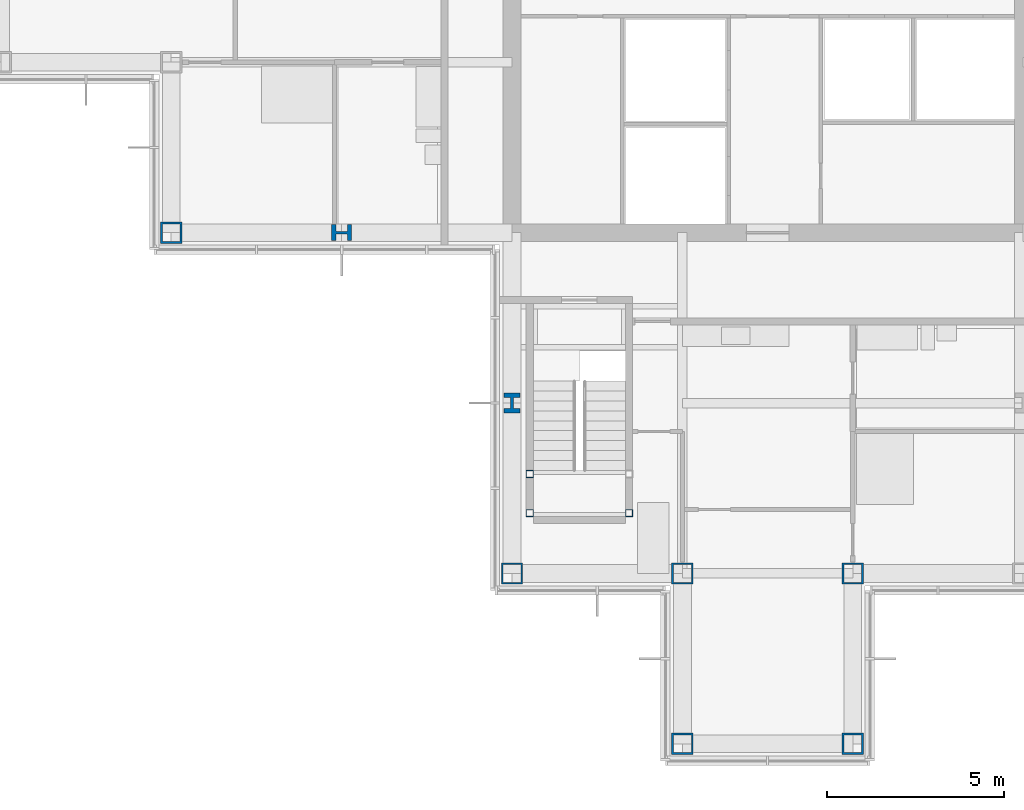
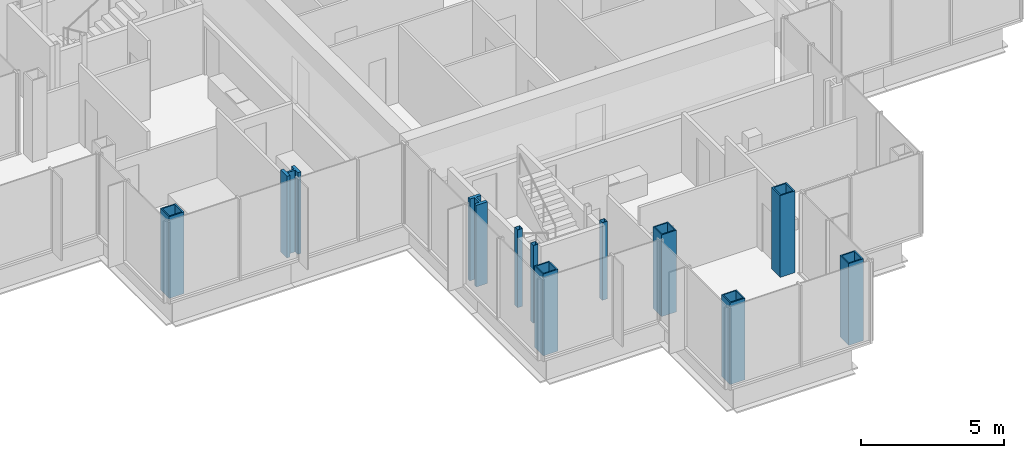
# One storey, part 1 of 14: 11 columns.
"""IFC4 building model written with IfcOpenShell, lengths in metres."""

from ifc_helpers import new_model, si_unit, direction, frame, origin, origin_2d, place, context, subcontext, project, spatial, hollow_rectangle, i_section, extrude, material, material_profile, profile_set, type_object, element, save


model = new_model("IFC4")

# Units and contexts
model_context = context("Model", 3, precision=1e-05, world=origin(), true_north=direction((0.0, 1.0)))
body_context = subcontext(model_context, "Body", "Model", "MODEL_VIEW")
ifc_project = project(units=[si_unit("LENGTHUNIT", "METRE"), si_unit("AREAUNIT", "SQUARE_METRE"), si_unit("VOLUMEUNIT", "CUBIC_METRE"), si_unit("PLANEANGLEUNIT", "RADIAN"), si_unit("MASSUNIT", "GRAM", prefix="KILO")], contexts=[model_context])

# Site, building, storey
site_placement = place(None, origin())
site = spatial("IfcSite", under=ifc_project, at=site_placement, CompositionType="ELEMENT")
building_placement = place(site_placement, origin())
building = spatial("IfcBuilding", under=site, at=building_placement, Name="Kvirike Care Tower", CompositionType="ELEMENT")
storey_placement = place(building_placement, frame((0.0, 0.0, 194.5)))
storey = spatial("IfcBuildingStorey", under=building, at=storey_placement, Name="L53", CompositionType="ELEMENT", Elevation=194.5)

# Columns
ifc_material_1 = material(Name="Steel S460", Category="steel")
ifc_material_profile_1 = material_profile(ifc_material_1, hollow_rectangle(XDim=0.60009765625, YDim=0.60009765625, WallThickness=0.050048828125, at=origin_2d()), Name="BX 600x600x50")
ifc_profile_set_1 = profile_set([ifc_material_profile_1], Name="Steel S460")
column_type_1 = type_object("IfcColumnType", Name="COLUMN BX 600x600x50", PredefinedType="COLUMN", material=ifc_profile_set_1)
for number, where, z_axis, x_axis, name in (
    (1, (4.800048828125, 28.800048828125, 0.0), (0.0, 0.0, 1.0), (0.0, 1.0, 0.0), "Column G4 L53"),
    (2, (14.39990234375, 19.199951171875, 0.0), (0.0, 0.0, 1.0), (0.0, 1.0, 0.0), "Column E6 L53"),
    (3, (19.199951171875, 14.39990234375, 0.0), (0.0, 0.0, 1.0), (0.0, 1.0, 0.0), "Column D7 L53"),
    (4, (19.199951171875, 19.199951171875, 0.0), (0.0, 0.0, 1.0), (0.0, 1.0, 0.0), "Column E7 L53"),
    (5, (24.0, 14.39990234375, 0.0), (0.0, 0.0, 1.0), (0.0, 1.0, 0.0), "Column D8 L53"),
    (6, (24.0, 19.199951171875, 0.0), (0.0, 0.0, 1.0), (0.0, 1.0, 0.0), "Column E8 L53"),
):
    element("IfcColumn", number, at=place(storey_placement, frame(where, z_axis=z_axis, x_axis=x_axis)), inside=storey, type_object=column_type_1, Name=name, PredefinedType="COLUMN", context=body_context, shape_type="SweptSolid", body=[
        extrude(hollow_rectangle(XDim=0.60009765625, YDim=0.60009765625, WallThickness=0.050048828125, at=origin_2d()), origin(), (0.0, 0.0, 1.0), 3.5),
    ])
ifc_material_2 = material(Name="Steel S460", Category="steel")
ifc_material_profile_2 = material_profile(ifc_material_2, i_section(OverallWidth=0.4541015625, OverallDepth=0.569091796875, WebThickness=0.077880859375, FlangeThickness=0.125, FilletRadius=0.014892578125, at=origin_2d()), Name="HD 400x1086")
ifc_profile_set_2 = profile_set([ifc_material_profile_2], Name="Steel S460")
column_type_2 = type_object("IfcColumnType", Name="COLUMN HD 400x1086", PredefinedType="COLUMN", material=ifc_profile_set_2)
for number, where, z_axis, x_axis, name in (
    (7, (9.60009765625, 28.800048828125, 0.0), (0.0, 0.0, 1.0), (0.0, 1.0, 0.0), "Column G5 L53"),
    (8, (14.39990234375, 24.0, 0.0), (0.0, 0.0, 1.0), (1.0, 0.0, 0.0), "Column F6 L53"),
):
    element("IfcColumn", number, at=place(storey_placement, frame(where, z_axis=z_axis, x_axis=x_axis)), inside=storey, type_object=column_type_2, Name=name, PredefinedType="COLUMN", context=body_context, shape_type="SweptSolid", body=[
        extrude(i_section(OverallWidth=0.4541015625, OverallDepth=0.569091796875, WebThickness=0.077880859375, FlangeThickness=0.125, FilletRadius=0.014892578125, at=origin_2d()), origin(), (0.0, 0.0, 1.0), 3.5),
    ])
ifc_material_3 = material(Name="Steel S460", Category="steel")
ifc_material_profile_3 = material_profile(ifc_material_3, hollow_rectangle(XDim=0.199951171875, YDim=0.199951171875, WallThickness=0.008056640625, at=origin_2d()), Name="SHS 200x200x8")
ifc_profile_set_3 = profile_set([ifc_material_profile_3], Name="Steel S460")
column_type_3 = type_object("IfcColumnType", Name="STAIR POST SHS 200x200x8", PredefinedType="COLUMN", material=ifc_profile_set_3)
for number, where, z_axis, x_axis, name in (
    (9, (14.89990234375, 20.89990234375, 0.0), (0.0, 0.0, 1.0), (1.0, 0.0, 0.0), "Stair 5 post 1 L53"),
    (10, (17.699951171875, 20.89990234375, 0.0), (0.0, 0.0, 1.0), (1.0, 0.0, 0.0), "Stair 5 post 2 L53"),
    (11, (14.89990234375, 22.0, 0.0), (0.0, 0.0, 1.0), (1.0, 0.0, 0.0), "Stair 5 post 3 L53"),
):
    element("IfcColumn", number, at=place(storey_placement, frame(where, z_axis=z_axis, x_axis=x_axis)), inside=storey, type_object=column_type_3, Name=name, PredefinedType="COLUMN", context=body_context, shape_type="SweptSolid", body=[
        extrude(hollow_rectangle(XDim=0.199951171875, YDim=0.199951171875, WallThickness=0.008056640625, at=origin_2d()), origin(), (0.0, 0.0, 1.0), 3.330078125),
    ])

save(model, "model.ifc")
